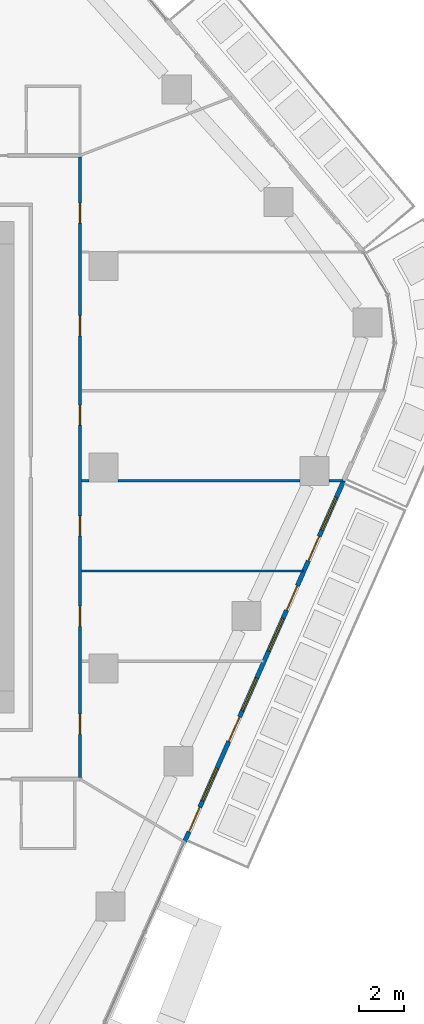
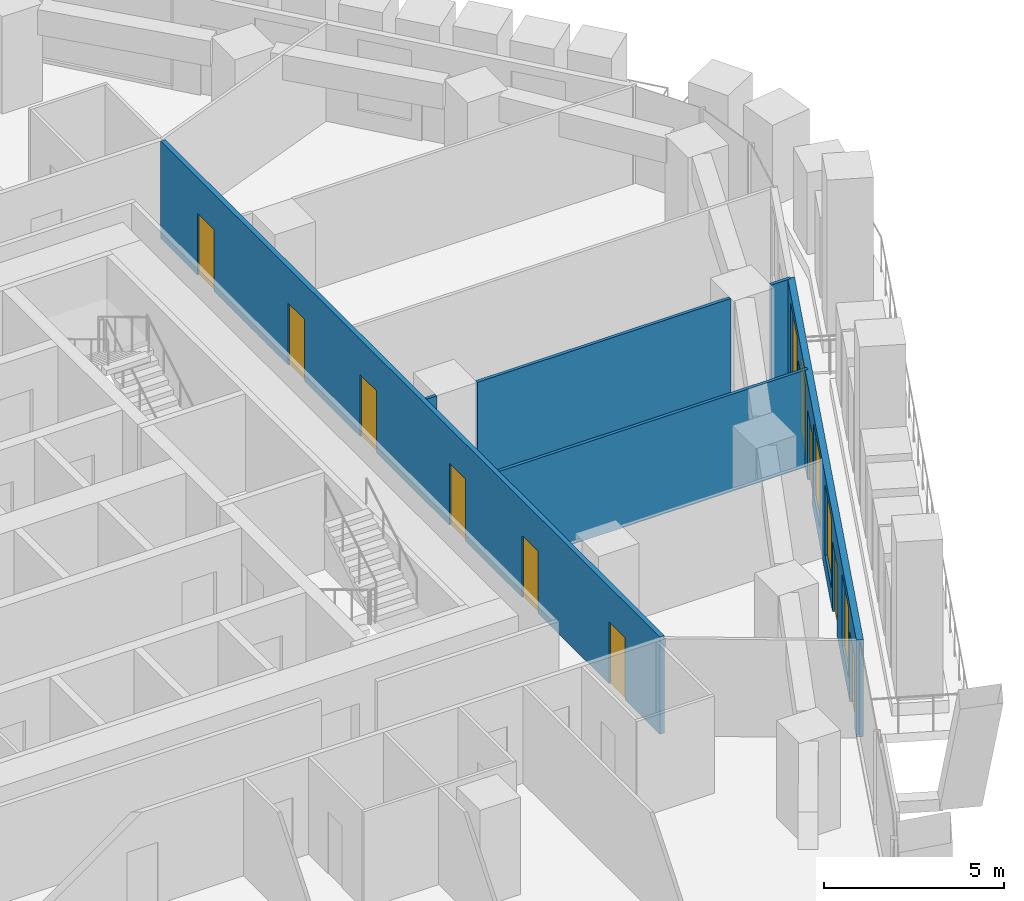
# One storey, part 14 of 24: 10 doors, 6 walls, 4 windows, 14 openings.
"""IFC4 building model written with IfcOpenShell, lengths in metres."""

import ifcopenshell
import ifcopenshell.guid

model = None  # the IFC model being written
_history = None  # IfcOwnerHistory: only IFC2X3 demands one
_inside = {}  # id of a spatial element -> (the spatial element, [elements in it])
_under = {}  # id of a project, library or spatial element -> (it, [spatial elements below it])
_declared = {}  # id of a project -> (the project, [libraries it declares])
_typed = {}  # id of a type object -> (the type object, [elements of that type])
_made_of = {}  # id of a material, layer set ... -> (it, [elements and type objects made of it])


def new_model(schema):
    """Start an empty IFC model of exactly this schema.

    Asked for "IFC4X3", IfcOpenShell would pick the latest addendum, in which some entities
    have other attributes; the version numbers below select the first issue.
    IFC2X3 requires an IfcOwnerHistory on every rooted entity: one is made here for all.
    """
    global model, _history
    if schema == "IFC4X3":
        model = ifcopenshell.file(schema_version=(4, 3, 0, 0))
    else:
        model = ifcopenshell.file(schema=schema)
    _inside.clear()
    _under.clear()
    _declared.clear()
    _typed.clear()
    _made_of.clear()
    _history = None
    if model.schema == "IFC2X3":
        org = make("IfcOrganization", Name="unknown")
        user = make(
            "IfcPersonAndOrganization",
            ThePerson=make("IfcPerson", FamilyName="unknown"),
            TheOrganization=org,
        )
        app = make(
            "IfcApplication",
            ApplicationDeveloper=org,
            Version="unknown",
            ApplicationFullName="unknown",
            ApplicationIdentifier="unknown",
        )
        _history = make(
            "IfcOwnerHistory",
            OwningUser=user,
            OwningApplication=app,
            ChangeAction="ADDED",
            CreationDate=0,
        )
    return model


def make(cls, **values):
    """One entity of the class cls with the attributes given. An attribute that is None is left unset."""
    return model.create_entity(
        cls, **{name: value for name, value in values.items() if value is not None}
    )


def rooted(cls, **values):
    """An entity with a GlobalId (a new one), such as an element, a storey or a relation."""
    return make(cls, GlobalId=ifcopenshell.guid.new(), OwnerHistory=_history, **values)


def si_unit(unit_type, name, prefix=None):
    """IfcSIUnit, for example si_unit("LENGTHUNIT", "METRE", prefix="MILLI")."""
    return make("IfcSIUnit", UnitType=unit_type, Prefix=prefix, Name=name)


def assignment(units):
    """IfcUnitAssignment: the units of a project."""
    return None if units is None else make("IfcUnitAssignment", Units=units)


def point(xyz):
    """IfcCartesianPoint."""
    return None if xyz is None else make("IfcCartesianPoint", Coordinates=xyz)


def direction(xyz):
    """IfcDirection."""
    return None if xyz is None else make("IfcDirection", DirectionRatios=xyz)


def frame(location, z_axis=None, x_axis=None):
    """IfcAxis2Placement3D, a coordinate frame: its origin and axes. An axis left out is left unset."""
    return make(
        "IfcAxis2Placement3D",
        Location=point(location),
        Axis=direction(z_axis),
        RefDirection=direction(x_axis),
    )


def frame_2d(location, x_axis=None):
    """IfcAxis2Placement2D, a coordinate frame in the plane: its origin and x axis."""
    return make(
        "IfcAxis2Placement2D", Location=point(location), RefDirection=direction(x_axis)
    )


def origin():
    """The frame at (0, 0, 0) with its axes left unset."""
    return frame((0.0, 0.0, 0.0))


def place(relative_to, where):
    """IfcLocalPlacement: puts the frame where relative to a parent placement (None: the world)."""
    return make(
        "IfcLocalPlacement", PlacementRelTo=relative_to, RelativePlacement=where
    )


def context(
    kind, dimensions, precision=None, world=None, true_north=None, identifier=None
):
    """IfcGeometricRepresentationContext, for example the 3D "Model" context."""
    return make(
        "IfcGeometricRepresentationContext",
        ContextIdentifier=identifier,
        ContextType=kind,
        CoordinateSpaceDimension=dimensions,
        Precision=precision,
        WorldCoordinateSystem=world,
        TrueNorth=true_north,
    )


def subcontext(parent, identifier, kind, view, scale=None):
    """IfcGeometricRepresentationSubContext, for example "Body" below "Model"."""
    return make(
        "IfcGeometricRepresentationSubContext",
        ContextIdentifier=identifier,
        ContextType=kind,
        ParentContext=parent,
        TargetScale=scale,
        TargetView=view,
    )


def project(units=None, contexts=None):
    """IfcProject with its units and contexts."""
    return rooted(
        "IfcProject",
        Name="project",
        RepresentationContexts=contexts,
        UnitsInContext=assignment(units),
    )


def spatial(cls, under=None, at=None, **own):
    """A site, building, storey or space (cls), placed at a placement, below another one or the project."""
    s = rooted(cls, ObjectPlacement=at, **own)
    if under is not None:
        _under.setdefault(under.id(), (under, []))[1].append(s)
    return s


def profile(cls, at=None, kind="AREA", **sizes):
    """A parametric profile (cls). Its sizes go by their IFC names, for example OverallWidth=200.0."""
    return make(cls, ProfileType=kind, Position=at, **sizes)


def rectangle(**sizes):
    """IfcRectangleProfileDef."""
    return profile("IfcRectangleProfileDef", **sizes)


def extrude(swept, where, along, depth):
    """IfcExtrudedAreaSolid: the profile swept, set in the frame where, extruded along a direction by depth."""
    return make(
        "IfcExtrudedAreaSolid",
        SweptArea=swept,
        Position=where,
        ExtrudedDirection=direction(along),
        Depth=depth,
    )


def shape(context_of_items, identifier, shape_type, items):
    """IfcShapeRepresentation: the items that make up one representation, for example the "Body"."""
    return make(
        "IfcShapeRepresentation",
        ContextOfItems=context_of_items,
        RepresentationIdentifier=identifier,
        RepresentationType=shape_type,
        Items=items,
    )


def material(Name=None, Category=None):
    """IfcMaterial."""
    return make("IfcMaterial", Name=Name, Category=Category)


def layer(
    of_material, thickness, ventilated=None, Name=None, Category=None, Priority=None
):
    """IfcMaterialLayer: one layer of a wall or slab, of a material (None: an air gap)."""
    return make(
        "IfcMaterialLayer",
        Material=of_material,
        LayerThickness=thickness,
        IsVentilated=ventilated,
        Name=Name,
        Category=Category,
        Priority=Priority,
    )


def layer_set(layers, Name=None):
    """IfcMaterialLayerSet."""
    return make("IfcMaterialLayerSet", MaterialLayers=layers, LayerSetName=Name)


def made_of(thing, what):
    """Note that an element or type object is made of a material, layer set ...; save() writes the relation."""
    if what is not None:
        _made_of.setdefault(what.id(), (what, []))[1].append(thing)
    return thing


def type_object(cls, material=None, **own):
    """A type object (cls), such as IfcWallType, which elements share."""
    return made_of(rooted(cls, **own), material)


def element(
    cls,
    number,
    at=None,
    inside=None,
    cuts=None,
    type_object=None,
    material=None,
    context=None,
    identifier="Body",
    shape_type=None,
    held_by="IfcProductDefinitionShape",
    body=None,
    shapes=None,
    **own,
):
    """One element of the class cls, such as IfcWall. Its Tag is "e" and its number.

    at: its placement. inside: the storey or other place that contains it. cuts: it is an
    opening in that element (IfcRelVoidsElement). A single representation is given by context,
    identifier, shape_type and body (its items); several are given by shapes. held_by: the class
    of the entity that holds the representations. save() writes the other relations.
    """
    e = rooted(cls, Tag="e%d" % number, ObjectPlacement=at, **own)
    if body is not None:
        shapes = [shape(context, identifier, shape_type, body)]
    if shapes is not None:
        e.Representation = make(held_by, Representations=shapes)
    if inside is not None:
        _inside.setdefault(inside.id(), (inside, []))[1].append(e)
    if cuts is not None:
        rooted(
            "IfcRelVoidsElement", RelatingBuildingElement=cuts, RelatedOpeningElement=e
        )
    if type_object is not None:
        _typed.setdefault(type_object.id(), (type_object, []))[1].append(e)
    return made_of(e, material)


def fill(opening, filler):
    """IfcRelFillsElement: the door or window that sits in an opening."""
    return rooted(
        "IfcRelFillsElement",
        RelatingOpeningElement=opening,
        RelatedBuildingElement=filler,
    )


def aggregate(whole, parts):
    """IfcRelAggregates: a whole, such as a stair, and the parts it consists of."""
    return rooted("IfcRelAggregates", RelatingObject=whole, RelatedObjects=parts)


def save(model, path):
    """Write the relations noted so far, then the file.

    IfcRelAggregates (storeys below a building ...), IfcRelContainedInSpatialStructure (elements
    in a storey), IfcRelDefinesByType, IfcRelAssociatesMaterial and IfcRelDeclares: one each for
    every whole, place, type object, material and project.
    """
    for whole, parts in _under.values():
        aggregate(whole, parts)
    for where, things in _inside.values():
        rooted(
            "IfcRelContainedInSpatialStructure",
            RelatedElements=things,
            RelatingStructure=where,
        )
    for kind, things in _typed.values():
        rooted("IfcRelDefinesByType", RelatedObjects=things, RelatingType=kind)
    for what, things in _made_of.values():
        rooted("IfcRelAssociatesMaterial", RelatedObjects=things, RelatingMaterial=what)
    for by, libraries in _declared.values():
        rooted("IfcRelDeclares", RelatingContext=by, RelatedDefinitions=libraries)
    model.write(path)


model = new_model("IFC4")

# Units and contexts
model_context = context("Model", 3, precision=1e-05, world=origin(), true_north=direction((0.0, 1.0)))
body_context = subcontext(model_context, "Body", "Model", "MODEL_VIEW")
ifc_project = project(units=[si_unit("LENGTHUNIT", "METRE"), si_unit("AREAUNIT", "SQUARE_METRE"), si_unit("VOLUMEUNIT", "CUBIC_METRE"), si_unit("PLANEANGLEUNIT", "RADIAN"), si_unit("MASSUNIT", "GRAM", prefix="KILO")], contexts=[model_context])

# Site, building, storey
site_placement = place(None, origin())
site = spatial("IfcSite", under=ifc_project, at=site_placement, CompositionType="ELEMENT")
building_placement = place(site_placement, origin())
building = spatial("IfcBuilding", under=site, at=building_placement, Name="Dongbaek Canopy Tower", CompositionType="ELEMENT")
storey_placement = place(building_placement, frame((0.0, 0.0, 113.699951171875)))
storey = spatial("IfcBuildingStorey", under=building, at=storey_placement, Name="L24", CompositionType="ELEMENT", Elevation=113.699951171875)

# Wall, openings, doors
ifc_material_1 = material(Name="Gypsum board partition, steel stud, 2 x 15 mm fire board", Category="steel")
ifc_layer_1 = layer(ifc_material_1, 0.14990234375)
ifc_layer_set_1 = layer_set([ifc_layer_1], Name="Fire-rated partition 150 gypsum board")
wall_type_1 = type_object("IfcWallType", Name="Fire-rated partition 150 gypsum board", PredefinedType="PARTITIONING", material=ifc_layer_set_1)
wall_1_placement = place(storey_placement, frame((16.949951171875, 13.875, 0.0), z_axis=(0.0, 0.0, 1.0), x_axis=(0.0, -1.0, 0.0)))
wall_1 = element("IfcWall", 1, at=wall_1_placement, inside=storey, type_object=wall_type_1, Name="Corridor partition", PredefinedType="PARTITIONING", context=body_context, shape_type="SweptSolid", body=[
    extrude(rectangle(XDim=27.75, YDim=0.14990234375, at=frame_2d((13.875, 0.0))), origin(), (0.0, 0.0, 1.0), 3.300048828125),
])
opening_1_placement = place(wall_1_placement, frame((24.91748046875, 0.0, 0.0)))
opening_1 = element("IfcOpeningElement", 2, at=opening_1_placement, cuts=wall_1, Name="Opening L24-D015", PredefinedType="OPENING", context=body_context, shape_type="SweptSolid", body=[
    extrude(rectangle(XDim=0.89990234375, YDim=2.10009765625, at=frame_2d((0.449951171875, 1.050048828125))), frame((0.0, 0.0849609375, 0.0), z_axis=(0.0, -1.0, 0.0), x_axis=(1.0, 0.0, 0.0)), (0.0, 0.0, 1.0), 0.169921875),
])
opening_2_placement = place(wall_1_placement, frame((20.086181640625, 0.0, 0.0)))
opening_2 = element("IfcOpeningElement", 3, at=opening_2_placement, cuts=wall_1, Name="Opening L24-D016", PredefinedType="OPENING", context=body_context, shape_type="SweptSolid", body=[
    extrude(rectangle(XDim=0.89990234375, YDim=2.10009765625, at=frame_2d((0.449951171875, 1.050048828125))), frame((0.0, 0.0849609375, 0.0), z_axis=(0.0, -1.0, 0.0), x_axis=(1.0, 0.0, 0.0)), (0.0, 0.0, 1.0), 0.169921875),
])
opening_3_placement = place(wall_1_placement, frame((16.046630859375, 0.0, 0.0)))
opening_3 = element("IfcOpeningElement", 4, at=opening_3_placement, cuts=wall_1, Name="Opening L24-D017", PredefinedType="OPENING", context=body_context, shape_type="SweptSolid", body=[
    extrude(rectangle(XDim=0.89990234375, YDim=2.10009765625, at=frame_2d((0.449951171875, 1.050048828125))), frame((0.0, 0.0849609375, 0.0), z_axis=(0.0, -1.0, 0.0), x_axis=(1.0, 0.0, 0.0)), (0.0, 0.0, 1.0), 0.169921875),
])
opening_4_placement = place(wall_1_placement, frame((11.0908203125, 0.0, 0.0)))
opening_4 = element("IfcOpeningElement", 5, at=opening_4_placement, cuts=wall_1, Name="Opening L24-D018", PredefinedType="OPENING", context=body_context, shape_type="SweptSolid", body=[
    extrude(rectangle(XDim=0.89990234375, YDim=2.10009765625, at=frame_2d((0.449951171875, 1.050048828125))), frame((0.0, 0.0849609375, 0.0), z_axis=(0.0, -1.0, 0.0), x_axis=(1.0, 0.0, 0.0)), (0.0, 0.0, 1.0), 0.169921875),
])
opening_5_placement = place(wall_1_placement, frame((7.092529296875, 0.0, 0.0)))
opening_5 = element("IfcOpeningElement", 6, at=opening_5_placement, cuts=wall_1, Name="Opening L24-D019", PredefinedType="OPENING", context=body_context, shape_type="SweptSolid", body=[
    extrude(rectangle(XDim=0.89990234375, YDim=2.10009765625, at=frame_2d((0.449951171875, 1.050048828125))), frame((0.0, 0.0849609375, 0.0), z_axis=(0.0, -1.0, 0.0), x_axis=(1.0, 0.0, 0.0)), (0.0, 0.0, 1.0), 0.169921875),
])
opening_6_placement = place(wall_1_placement, frame((2.05712890625, 0.0, 0.0)))
opening_6 = element("IfcOpeningElement", 7, at=opening_6_placement, cuts=wall_1, Name="Opening L24-D020", PredefinedType="OPENING", context=body_context, shape_type="SweptSolid", body=[
    extrude(rectangle(XDim=0.89990234375, YDim=2.10009765625, at=frame_2d((0.449951171875, 1.050048828125))), frame((0.0, 0.0849609375, 0.0), z_axis=(0.0, -1.0, 0.0), x_axis=(1.0, 0.0, 0.0)), (0.0, 0.0, 1.0), 0.169921875),
])
ifc_material_2 = material(Name="Timber veneered door leaf", Category="wood")
door_type_1 = type_object("IfcDoorType", Name="Room door 900 x 2100", OperationType="SINGLE_SWING_LEFT", PredefinedType="DOOR", material=ifc_material_2)
door_1_placement = place(opening_1_placement, origin())
door_1 = element("IfcDoor", 8, at=door_1_placement, inside=storey, type_object=door_type_1, Name="Door L24-D015", OperationType="SINGLE_SWING_RIGHT", OverallHeight=2.10009765625, OverallWidth=0.89990234375, PredefinedType="DOOR", context=body_context, shape_type="SweptSolid", body=[
    extrude(rectangle(XDim=0.89990234375, YDim=2.10009765625, at=frame_2d((0.449951171875, 1.050048828125))), frame((0.0, 0.02490234375, 0.0), z_axis=(0.0, -1.0, 0.0), x_axis=(1.0, 0.0, 0.0)), (0.0, 0.0, 1.0), 0.050048828125),
])
fill(opening_1, door_1)
door_2_placement = place(opening_2_placement, origin())
door_2 = element("IfcDoor", 9, at=door_2_placement, inside=storey, type_object=door_type_1, Name="Door L24-D016", OperationType="SINGLE_SWING_LEFT", OverallHeight=2.10009765625, OverallWidth=0.89990234375, PredefinedType="DOOR", context=body_context, shape_type="SweptSolid", body=[
    extrude(rectangle(XDim=0.89990234375, YDim=2.10009765625, at=frame_2d((0.449951171875, 1.050048828125))), frame((0.0, 0.02490234375, 0.0), z_axis=(0.0, -1.0, 0.0), x_axis=(1.0, 0.0, 0.0)), (0.0, 0.0, 1.0), 0.050048828125),
])
fill(opening_2, door_2)
door_3_placement = place(opening_3_placement, origin())
door_3 = element("IfcDoor", 10, at=door_3_placement, inside=storey, type_object=door_type_1, Name="Door L24-D017", OperationType="SINGLE_SWING_RIGHT", OverallHeight=2.10009765625, OverallWidth=0.89990234375, PredefinedType="DOOR", context=body_context, shape_type="SweptSolid", body=[
    extrude(rectangle(XDim=0.89990234375, YDim=2.10009765625, at=frame_2d((0.449951171875, 1.050048828125))), frame((0.0, 0.02490234375, 0.0), z_axis=(0.0, -1.0, 0.0), x_axis=(1.0, 0.0, 0.0)), (0.0, 0.0, 1.0), 0.050048828125),
])
fill(opening_3, door_3)
door_4_placement = place(opening_4_placement, origin())
door_4 = element("IfcDoor", 11, at=door_4_placement, inside=storey, type_object=door_type_1, Name="Door L24-D018", OperationType="SINGLE_SWING_LEFT", OverallHeight=2.10009765625, OverallWidth=0.89990234375, PredefinedType="DOOR", context=body_context, shape_type="SweptSolid", body=[
    extrude(rectangle(XDim=0.89990234375, YDim=2.10009765625, at=frame_2d((0.449951171875, 1.050048828125))), frame((0.0, 0.02490234375, 0.0), z_axis=(0.0, -1.0, 0.0), x_axis=(1.0, 0.0, 0.0)), (0.0, 0.0, 1.0), 0.050048828125),
])
fill(opening_4, door_4)
door_5_placement = place(opening_5_placement, origin())
door_5 = element("IfcDoor", 12, at=door_5_placement, inside=storey, type_object=door_type_1, Name="Door L24-D019", OperationType="SINGLE_SWING_RIGHT", OverallHeight=2.10009765625, OverallWidth=0.89990234375, PredefinedType="DOOR", context=body_context, shape_type="SweptSolid", body=[
    extrude(rectangle(XDim=0.89990234375, YDim=2.10009765625, at=frame_2d((0.449951171875, 1.050048828125))), frame((0.0, 0.02490234375, 0.0), z_axis=(0.0, -1.0, 0.0), x_axis=(1.0, 0.0, 0.0)), (0.0, 0.0, 1.0), 0.050048828125),
])
fill(opening_5, door_5)
door_6_placement = place(opening_6_placement, origin())
door_6 = element("IfcDoor", 13, at=door_6_placement, inside=storey, type_object=door_type_1, Name="Door L24-D020", OperationType="SINGLE_SWING_LEFT", OverallHeight=2.10009765625, OverallWidth=0.89990234375, PredefinedType="DOOR", context=body_context, shape_type="SweptSolid", body=[
    extrude(rectangle(XDim=0.89990234375, YDim=2.10009765625, at=frame_2d((0.449951171875, 1.050048828125))), frame((0.0, 0.02490234375, 0.0), z_axis=(0.0, -1.0, 0.0), x_axis=(1.0, 0.0, 0.0)), (0.0, 0.0, 1.0), 0.050048828125),
])
fill(opening_6, door_6)

# Walls
ifc_material_3 = material(Name="Gypsum board partition, steel stud, 2 x 12.5 mm board", Category="steel")
ifc_layer_2 = layer(ifc_material_3, 0.10009765625)
ifc_layer_set_2 = layer_set([ifc_layer_2], Name="Partition 100 gypsum board")
wall_type_2 = type_object("IfcWallType", Name="Partition 100 gypsum board", PredefinedType="PARTITIONING", material=ifc_layer_set_2)
wall_2_placement = place(storey_placement, frame((17.02490234375, -4.64111328125, 0.0), z_axis=(0.0, 0.0, 1.0), x_axis=(1.0, 0.0, 0.0)))
element("IfcWall", 14, at=wall_2_placement, inside=storey, type_object=wall_type_2, Name="Partition", PredefinedType="PARTITIONING", context=body_context, shape_type="SweptSolid", body=[
    extrude(rectangle(XDim=9.92041015625, YDim=0.10009765625, at=frame_2d((4.960205078125, 0.0))), origin(), (0.0, 0.0, 1.0), 3.300048828125),
])
wall_3_placement = place(storey_placement, frame((17.02490234375, -0.60205078125, 0.0), z_axis=(0.0, 0.0, 1.0), x_axis=(1.0, 0.0, 0.0)))
element("IfcWall", 15, at=wall_3_placement, inside=storey, type_object=wall_type_2, Name="Partition", PredefinedType="PARTITIONING", context=body_context, shape_type="SweptSolid", body=[
    extrude(rectangle(XDim=0.3251953125, YDim=0.10009765625, at=frame_2d((0.16259765625, 0.0))), origin(), (0.0, 0.0, 1.0), 3.300048828125),
])
wall_4_placement = place(storey_placement, frame((18.64990234375, -0.60205078125, 0.0), z_axis=(0.0, 0.0, 1.0), x_axis=(1.0, 0.0, 0.0)))
element("IfcWall", 16, at=wall_4_placement, inside=storey, type_object=wall_type_2, Name="Partition", PredefinedType="PARTITIONING", context=body_context, shape_type="SweptSolid", body=[
    extrude(rectangle(XDim=8.135986328125, YDim=0.10009765625, at=frame_2d((4.06787109375, 0.0))), origin(), (0.0, 0.0, 1.0), 3.300048828125),
])
wall_5_placement = place(storey_placement, frame((28.0859375, -0.60205078125, 0.0), z_axis=(0.0, 0.0, 1.0), x_axis=(1.0, 0.0, 0.0)))
element("IfcWall", 17, at=wall_5_placement, inside=storey, type_object=wall_type_2, Name="Partition", PredefinedType="PARTITIONING", context=body_context, shape_type="SweptSolid", body=[
    extrude(rectangle(XDim=0.6396484375, YDim=0.10009765625, at=frame_2d((0.31982421875, 0.0))), origin(), (0.0, 0.0, 1.0), 3.300048828125),
])

# Wall, openings, doors, windows
ifc_material_4 = material(Name="Aluminium window wall", Category="aluminium")
ifc_layer_3 = layer(ifc_material_4, 0.199951171875)
ifc_layer_set_3 = layer_set([ifc_layer_3], Name="Window wall 200")
wall_type_3 = type_object("IfcWallType", Name="Window wall 200", PredefinedType="SOLIDWALL", material=ifc_layer_set_3)
wall_6_placement = place(storey_placement, frame((21.62646484375, -16.759765625, 0.0), z_axis=(0.0, 0.0, 1.0), x_axis=(0.403293642116, 0.915070619258, 0.0)))
wall_6 = element("IfcWall", 18, at=wall_6_placement, inside=storey, type_object=wall_type_3, Name="Window wall L24 5", PredefinedType="SOLIDWALL", context=body_context, shape_type="SweptSolid", body=[
    extrude(rectangle(XDim=17.6572265625, YDim=0.199951171875, at=frame_2d((8.82861328125, 0.0))), origin(), (0.0, 0.0, 1.0), 3.300048828125),
])
opening_7_placement = place(wall_6_placement, frame((2.0, 0.0, 0.60009765625)))
opening_7 = element("IfcOpeningElement", 19, at=opening_7_placement, cuts=wall_6, Name="Opening W1", PredefinedType="OPENING", context=body_context, shape_type="SweptSolid", body=[
    extrude(rectangle(XDim=1.60009765625, YDim=2.39990234375, at=frame_2d((0.800048828125, 1.199951171875))), frame((0.0, 0.10986328125, 0.0), z_axis=(0.0, -1.0, 0.0), x_axis=(1.0, 0.0, 0.0)), (0.0, 0.0, 1.0), 0.219970703125),
])
opening_8_placement = place(wall_6_placement, frame((0.5, 0.0, 0.0)))
opening_8 = element("IfcOpeningElement", 20, at=opening_8_placement, cuts=wall_6, Name="Opening L24-B13", PredefinedType="OPENING", context=body_context, shape_type="SweptSolid", body=[
    extrude(rectangle(XDim=1.199951171875, YDim=2.39990234375, at=frame_2d((0.60009765625, 1.199951171875))), frame((0.0, 0.10986328125, 0.0), z_axis=(0.0, -1.0, 0.0), x_axis=(1.0, 0.0, 0.0)), (0.0, 0.0, 1.0), 0.219970703125),
])
opening_9_placement = place(wall_6_placement, frame((6.414306640625, 0.0, 0.60009765625)))
opening_9 = element("IfcOpeningElement", 21, at=opening_9_placement, cuts=wall_6, Name="Opening W1", PredefinedType="OPENING", context=body_context, shape_type="SweptSolid", body=[
    extrude(rectangle(XDim=1.60009765625, YDim=2.39990234375, at=frame_2d((0.800048828125, 1.199951171875))), frame((0.0, 0.10986328125, 0.0), z_axis=(0.0, -1.0, 0.0), x_axis=(1.0, 0.0, 0.0)), (0.0, 0.0, 1.0), 0.219970703125),
])
opening_10_placement = place(wall_6_placement, frame((4.914306640625, 0.0, 0.0)))
opening_10 = element("IfcOpeningElement", 22, at=opening_10_placement, cuts=wall_6, Name="Opening L24-B14", PredefinedType="OPENING", context=body_context, shape_type="SweptSolid", body=[
    extrude(rectangle(XDim=1.199951171875, YDim=2.39990234375, at=frame_2d((0.60009765625, 1.199951171875))), frame((0.0, 0.10986328125, 0.0), z_axis=(0.0, -1.0, 0.0), x_axis=(1.0, 0.0, 0.0)), (0.0, 0.0, 1.0), 0.219970703125),
])
opening_11_placement = place(wall_6_placement, frame((9.32861328125, 0.0, 0.60009765625)))
opening_11 = element("IfcOpeningElement", 23, at=opening_11_placement, cuts=wall_6, Name="Opening W1", PredefinedType="OPENING", context=body_context, shape_type="SweptSolid", body=[
    extrude(rectangle(XDim=1.60009765625, YDim=2.39990234375, at=frame_2d((0.800048828125, 1.199951171875))), frame((0.0, 0.10986328125, 0.0), z_axis=(0.0, -1.0, 0.0), x_axis=(1.0, 0.0, 0.0)), (0.0, 0.0, 1.0), 0.219970703125),
])
opening_12_placement = place(wall_6_placement, frame((11.32861328125, 0.0, 0.0)))
opening_12 = element("IfcOpeningElement", 24, at=opening_12_placement, cuts=wall_6, Name="Opening L24-B15", PredefinedType="OPENING", context=body_context, shape_type="SweptSolid", body=[
    extrude(rectangle(XDim=1.199951171875, YDim=2.39990234375, at=frame_2d((0.60009765625, 1.199951171875))), frame((0.0, 0.10986328125, 0.0), z_axis=(0.0, -1.0, 0.0), x_axis=(1.0, 0.0, 0.0)), (0.0, 0.0, 1.0), 0.219970703125),
])
opening_13_placement = place(wall_6_placement, frame((15.242919921875, 0.0, 0.60009765625)))
opening_13 = element("IfcOpeningElement", 25, at=opening_13_placement, cuts=wall_6, Name="Opening W1", PredefinedType="OPENING", context=body_context, shape_type="SweptSolid", body=[
    extrude(rectangle(XDim=1.60009765625, YDim=2.39990234375, at=frame_2d((0.800048828125, 1.199951171875))), frame((0.0, 0.10986328125, 0.0), z_axis=(0.0, -1.0, 0.0), x_axis=(1.0, 0.0, 0.0)), (0.0, 0.0, 1.0), 0.219970703125),
])
opening_14_placement = place(wall_6_placement, frame((13.742919921875, 0.0, 0.0)))
opening_14 = element("IfcOpeningElement", 26, at=opening_14_placement, cuts=wall_6, Name="Opening L24-B16", PredefinedType="OPENING", context=body_context, shape_type="SweptSolid", body=[
    extrude(rectangle(XDim=1.199951171875, YDim=2.39990234375, at=frame_2d((0.60009765625, 1.199951171875))), frame((0.0, 0.10986328125, 0.0), z_axis=(0.0, -1.0, 0.0), x_axis=(1.0, 0.0, 0.0)), (0.0, 0.0, 1.0), 0.219970703125),
])
ifc_material_5 = material(Name="Clear glazing in aluminium frame", Category="aluminium")
door_type_2 = type_object("IfcDoorType", Name="Balcony door BD1 1200 x 2400", OperationType="SLIDING_TO_LEFT", PredefinedType="DOOR", material=ifc_material_5)
door_7_placement = place(opening_8_placement, origin())
door_7 = element("IfcDoor", 27, at=door_7_placement, inside=storey, type_object=door_type_2, Name="Balcony door L24-B13", OperationType="SLIDING_TO_LEFT", OverallHeight=2.39990234375, OverallWidth=1.199951171875, PredefinedType="DOOR", context=body_context, shape_type="SweptSolid", body=[
    extrude(rectangle(XDim=1.199951171875, YDim=2.39990234375, at=frame_2d((0.60009765625, 1.199951171875))), frame((0.0, 0.02490234375, 0.0), z_axis=(0.0, -1.0, 0.0), x_axis=(1.0, 0.0, 0.0)), (0.0, 0.0, 1.0), 0.050048828125),
])
fill(opening_8, door_7)
door_8_placement = place(opening_10_placement, origin())
door_8 = element("IfcDoor", 28, at=door_8_placement, inside=storey, type_object=door_type_2, Name="Balcony door L24-B14", OperationType="SLIDING_TO_LEFT", OverallHeight=2.39990234375, OverallWidth=1.199951171875, PredefinedType="DOOR", context=body_context, shape_type="SweptSolid", body=[
    extrude(rectangle(XDim=1.199951171875, YDim=2.39990234375, at=frame_2d((0.60009765625, 1.199951171875))), frame((0.0, 0.02490234375, 0.0), z_axis=(0.0, -1.0, 0.0), x_axis=(1.0, 0.0, 0.0)), (0.0, 0.0, 1.0), 0.050048828125),
])
fill(opening_10, door_8)
door_9_placement = place(opening_12_placement, origin())
door_9 = element("IfcDoor", 29, at=door_9_placement, inside=storey, type_object=door_type_2, Name="Balcony door L24-B15", OperationType="SLIDING_TO_LEFT", OverallHeight=2.39990234375, OverallWidth=1.199951171875, PredefinedType="DOOR", context=body_context, shape_type="SweptSolid", body=[
    extrude(rectangle(XDim=1.199951171875, YDim=2.39990234375, at=frame_2d((0.60009765625, 1.199951171875))), frame((0.0, 0.02490234375, 0.0), z_axis=(0.0, -1.0, 0.0), x_axis=(1.0, 0.0, 0.0)), (0.0, 0.0, 1.0), 0.050048828125),
])
fill(opening_12, door_9)
door_10_placement = place(opening_14_placement, origin())
door_10 = element("IfcDoor", 30, at=door_10_placement, inside=storey, type_object=door_type_2, Name="Balcony door L24-B16", OperationType="SLIDING_TO_LEFT", OverallHeight=2.39990234375, OverallWidth=1.199951171875, PredefinedType="DOOR", context=body_context, shape_type="SweptSolid", body=[
    extrude(rectangle(XDim=1.199951171875, YDim=2.39990234375, at=frame_2d((0.60009765625, 1.199951171875))), frame((0.0, 0.02490234375, 0.0), z_axis=(0.0, -1.0, 0.0), x_axis=(1.0, 0.0, 0.0)), (0.0, 0.0, 1.0), 0.050048828125),
])
fill(opening_14, door_10)
ifc_material_6 = material(Name="Clear glazing in aluminium frame", Category="aluminium")
window_type = type_object("IfcWindowType", Name="Window W1 1600 x 2400", PartitioningType="SINGLE_PANEL", PredefinedType="WINDOW", material=ifc_material_6)
window_1_placement = place(opening_7_placement, origin())
window_1 = element("IfcWindow", 31, at=window_1_placement, inside=storey, type_object=window_type, Name="Window L24 5.1", OverallHeight=2.39990234375, OverallWidth=1.60009765625, PartitioningType="SINGLE_PANEL", PredefinedType="WINDOW", context=body_context, shape_type="SweptSolid", body=[
    extrude(rectangle(XDim=1.60009765625, YDim=2.39990234375, at=frame_2d((0.800048828125, 1.199951171875))), frame((0.0, 0.030029296875, 0.0), z_axis=(0.0, -1.0, 0.0), x_axis=(1.0, 0.0, 0.0)), (0.0, 0.0, 1.0), 0.06005859375),
])
fill(opening_7, window_1)
window_2_placement = place(opening_9_placement, origin())
window_2 = element("IfcWindow", 32, at=window_2_placement, inside=storey, type_object=window_type, Name="Window L24 5.2", OverallHeight=2.39990234375, OverallWidth=1.60009765625, PartitioningType="SINGLE_PANEL", PredefinedType="WINDOW", context=body_context, shape_type="SweptSolid", body=[
    extrude(rectangle(XDim=1.60009765625, YDim=2.39990234375, at=frame_2d((0.800048828125, 1.199951171875))), frame((0.0, 0.030029296875, 0.0), z_axis=(0.0, -1.0, 0.0), x_axis=(1.0, 0.0, 0.0)), (0.0, 0.0, 1.0), 0.06005859375),
])
fill(opening_9, window_2)
window_3_placement = place(opening_11_placement, origin())
window_3 = element("IfcWindow", 33, at=window_3_placement, inside=storey, type_object=window_type, Name="Window L24 5.3", OverallHeight=2.39990234375, OverallWidth=1.60009765625, PartitioningType="SINGLE_PANEL", PredefinedType="WINDOW", context=body_context, shape_type="SweptSolid", body=[
    extrude(rectangle(XDim=1.60009765625, YDim=2.39990234375, at=frame_2d((0.800048828125, 1.199951171875))), frame((0.0, 0.030029296875, 0.0), z_axis=(0.0, -1.0, 0.0), x_axis=(1.0, 0.0, 0.0)), (0.0, 0.0, 1.0), 0.06005859375),
])
fill(opening_11, window_3)
window_4_placement = place(opening_13_placement, origin())
window_4 = element("IfcWindow", 34, at=window_4_placement, inside=storey, type_object=window_type, Name="Window L24 5.4", OverallHeight=2.39990234375, OverallWidth=1.60009765625, PartitioningType="SINGLE_PANEL", PredefinedType="WINDOW", context=body_context, shape_type="SweptSolid", body=[
    extrude(rectangle(XDim=1.60009765625, YDim=2.39990234375, at=frame_2d((0.800048828125, 1.199951171875))), frame((0.0, 0.030029296875, 0.0), z_axis=(0.0, -1.0, 0.0), x_axis=(1.0, 0.0, 0.0)), (0.0, 0.0, 1.0), 0.06005859375),
])
fill(opening_13, window_4)

save(model, "model.ifc")
